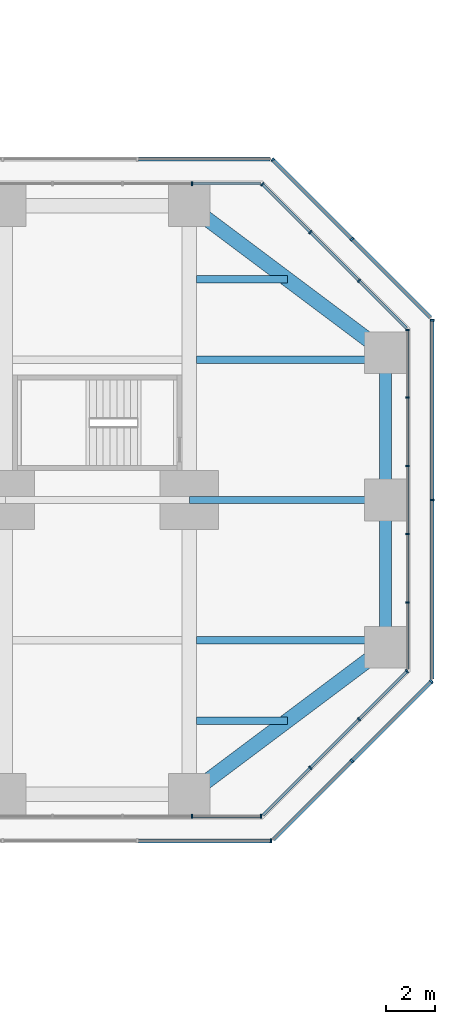
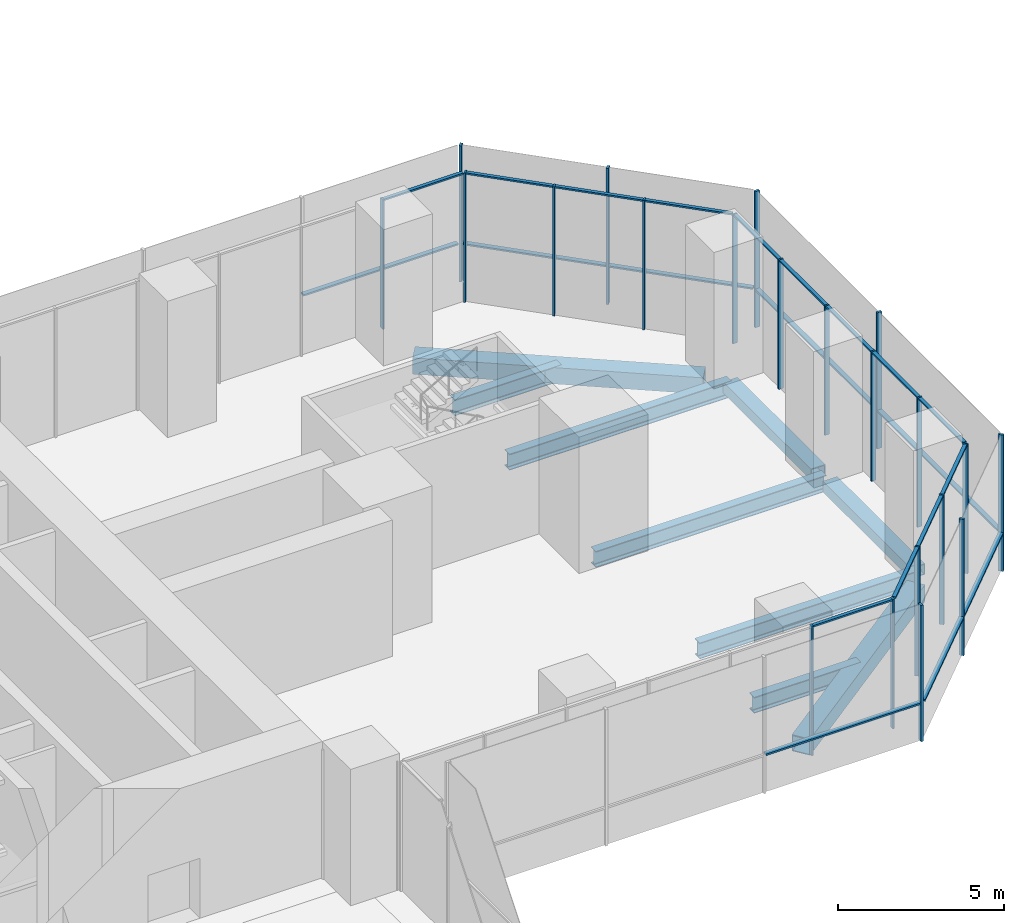
# One storey, part 11 of 23: 42 members, 9 beams, 10 elements without a shape of their own.
"""IFC4 building model written with IfcOpenShell, lengths in metres."""

from ifc_helpers import new_model, si_unit, direction, frame, origin, origin_2d, place, context, subcontext, project, spatial, rectangle, hollow_rectangle, i_section, extrude, material, material_profile, profile_set, type_object, element, aggregate, save


model = new_model("IFC4")

# Units and contexts
model_context = context("Model", 3, precision=1e-05, world=origin(), true_north=direction((0.0, 1.0)))
body_context = subcontext(model_context, "Body", "Model", "MODEL_VIEW")
ifc_project = project(units=[si_unit("LENGTHUNIT", "METRE"), si_unit("AREAUNIT", "SQUARE_METRE"), si_unit("VOLUMEUNIT", "CUBIC_METRE"), si_unit("PLANEANGLEUNIT", "RADIAN"), si_unit("MASSUNIT", "GRAM", prefix="KILO")], contexts=[model_context])

# Site, building, storey
site_placement = place(None, origin())
site = spatial("IfcSite", under=ifc_project, at=site_placement, CompositionType="ELEMENT")
building_placement = place(site_placement, origin())
building = spatial("IfcBuilding", under=site, at=building_placement, Name="Mizan Broadcast Tower", CompositionType="ELEMENT")
storey_placement = place(building_placement, frame((0.0, 0.0, 23.0)))
storey = spatial("IfcBuildingStorey", under=building, at=storey_placement, Name="L03", CompositionType="ELEMENT", Elevation=23.0)

# Beams
ifc_material_1 = material(Name="Steel S355", Category="steel")
ifc_material_profile_1 = material_profile(ifc_material_1, hollow_rectangle(XDim=0.5, YDim=0.39990234375, WallThickness=0.02490234375, at=origin_2d()), Name="BOX 400x500x25")
ifc_profile_set_1 = profile_set([ifc_material_profile_1], Name="Steel S355")
beam_type_1 = type_object("IfcBeamType", Name="EDGE BEAM BOX 400x500x25", PredefinedType="SPANDREL", material=ifc_profile_set_1)
for number, where, z_axis, x_axis, name in (
    (1, (35.0, -5.639892578125, -0.449951171875), (0.0, 1.0, 0.0), (-1.0, 0.0, 0.0), "Edge beam BOX 400x500x25 L03 east arm"),
    (2, (35.0, 5.639892578125, -0.449951171875), (0.0, -1.0, 0.0), (1.0, 0.0, 0.0), "Edge beam BOX 400x500x25 L03 east arm"),
):
    element("IfcBeam", number, at=place(storey_placement, frame(where, z_axis=z_axis, x_axis=x_axis)), inside=storey, type_object=beam_type_1, Name=name, PredefinedType="SPANDREL", context=body_context, shape_type="SweptSolid", body=[
        extrude(hollow_rectangle(XDim=0.5, YDim=0.39990234375, WallThickness=0.02490234375, at=origin_2d()), origin(), (0.0, 0.0, 1.0), 5.27978515625),
    ])
ifc_material_2 = material(Name="Steel S355", Category="steel")
ifc_material_profile_2 = material_profile(ifc_material_2, hollow_rectangle(XDim=0.60009765625, YDim=0.60009765625, WallThickness=0.030029296875, at=origin_2d()), Name="BOX 600x600x30")
ifc_profile_set_2 = profile_set([ifc_material_profile_2], Name="Steel S355")
beam_type_2 = type_object("IfcBeamType", Name="EDGE BEAM BOX 600x600x30", PredefinedType="SPANDREL", material=ifc_profile_set_2)
for number, where, z_axis, x_axis, name in (
    (3, (27.47998046875, -11.639892578125, -0.550048828125), (0.800013316712, 0.599982243973, 0.0), (-0.599982243973, 0.800013316712, 0.0), "Edge beam BOX 600x600x30 L03 east arm"),
    (4, (27.47998046875, 11.639892578125, -0.550048828125), (0.800013316712, -0.599982243973, 0.0), (0.599982243973, 0.800013316712, 0.0), "Edge beam BOX 600x600x30 L03 east arm"),
):
    element("IfcBeam", number, at=place(storey_placement, frame(where, z_axis=z_axis, x_axis=x_axis)), inside=storey, type_object=beam_type_2, Name=name, PredefinedType="SPANDREL", context=body_context, shape_type="SweptSolid", body=[
        extrude(hollow_rectangle(XDim=0.60009765625, YDim=0.60009765625, WallThickness=0.030029296875, at=origin_2d()), origin(), (0.0, 0.0, 1.0), 8.7998046875),
    ])

# Curtain wall, members
ifc_material_3 = material(Name="Aluminium framed glazing", Category="aluminium")
curtain_wall_type_1 = type_object("IfcCurtainWallType", Name="PODIUM CURTAIN WALL", PredefinedType="USERDEFINED", material=ifc_material_3)
curtain_wall_1_placement = place(storey_placement, origin())
curtain_wall_1 = element("IfcCurtainWall", 5, at=curtain_wall_1_placement, inside=storey, type_object=curtain_wall_type_1, Name="Podium curtain wall L03 E side", ObjectType="PODIUM CURTAIN WALL", PredefinedType="USERDEFINED")
ifc_material_4 = material(Name="Aluminium, pale anodised", Category="aluminium")
ifc_material_profile_3 = material_profile(ifc_material_4, rectangle(XDim=0.159912109375, YDim=0.06005859375, at=origin_2d()), Name="MULLION 160x60")
ifc_profile_set_3 = profile_set([ifc_material_profile_3], Name="Aluminium, pale anodised")
member_type_1 = type_object("IfcMemberType", Name="INNER SKIN MULLION 60x160", PredefinedType="MULLION", material=ifc_profile_set_3)
member_1_placement = place(storey_placement, frame((27.115478515625, -12.89990234375, 0.0), z_axis=(0.0, 0.0, 1.0), x_axis=(0.0, 1.0, 0.0)))
member_1 = element("IfcMember", 6, at=member_1_placement, type_object=member_type_1, Name="Podium curtain wall L03 E side mullion 6", PredefinedType="MULLION", context=body_context, shape_type="SweptSolid", body=[
    extrude(rectangle(XDim=0.159912109375, YDim=0.06005859375, at=origin_2d()), origin(), (0.0, 0.0, 1.0), 4.75),
])
member_2_placement = place(storey_placement, frame((29.928466796875, -12.89990234375, 0.0), z_axis=(0.0, 0.0, 1.0), x_axis=(0.0, 1.0, 0.0)))
member_2 = element("IfcMember", 7, at=member_2_placement, type_object=member_type_1, Name="Podium curtain wall L03 E side mullion 7", PredefinedType="MULLION", context=body_context, shape_type="SweptSolid", body=[
    extrude(rectangle(XDim=0.159912109375, YDim=0.06005859375, at=origin_2d()), origin(), (0.0, 0.0, 1.0), 4.75),
])

curtain_wall_2_placement = place(storey_placement, origin())
curtain_wall_2 = element("IfcCurtainWall", 8, at=curtain_wall_2_placement, inside=storey, type_object=curtain_wall_type_1, Name="Podium curtain wall L03 E chamfer", ObjectType="PODIUM CURTAIN WALL", PredefinedType="USERDEFINED")
member_3_placement = place(storey_placement, frame((31.93896484375, -10.91943359375, 0.0), z_axis=(0.0, 0.0, 1.0), x_axis=(-0.707106781187, 0.707106781187, 0.0)))
member_3 = element("IfcMember", 9, at=member_3_placement, type_object=member_type_1, Name="Podium curtain wall L03 E chamfer mullion 2", PredefinedType="MULLION", context=body_context, shape_type="SweptSolid", body=[
    extrude(rectangle(XDim=0.159912109375, YDim=0.06005859375, at=origin_2d()), origin(), (0.0, 0.0, 1.0), 4.75),
])
member_4_placement = place(storey_placement, frame((33.91943359375, -8.93896484375, 0.0), z_axis=(0.0, 0.0, 1.0), x_axis=(-0.707106781187, 0.707106781187, 0.0)))
member_4 = element("IfcMember", 10, at=member_4_placement, type_object=member_type_1, Name="Podium curtain wall L03 E chamfer mullion 3", PredefinedType="MULLION", context=body_context, shape_type="SweptSolid", body=[
    extrude(rectangle(XDim=0.159912109375, YDim=0.06005859375, at=origin_2d()), origin(), (0.0, 0.0, 1.0), 4.75),
])
member_5_placement = place(storey_placement, frame((35.87890625, -6.979736328125, 0.0), z_axis=(0.0, 0.0, 1.0), x_axis=(-0.707106781187, 0.707106781187, 0.0)))
member_5 = element("IfcMember", 11, at=member_5_placement, type_object=member_type_1, Name="Podium curtain wall L03 E chamfer mullion 4", PredefinedType="MULLION", context=body_context, shape_type="SweptSolid", body=[
    extrude(rectangle(XDim=0.159912109375, YDim=0.06005859375, at=origin_2d()), origin(), (0.0, 0.0, 1.0), 4.75),
])

curtain_wall_3_placement = place(storey_placement, origin())
curtain_wall_3 = element("IfcCurtainWall", 12, at=curtain_wall_3_placement, inside=storey, type_object=curtain_wall_type_1, Name="Podium curtain wall L03 E end", ObjectType="PODIUM CURTAIN WALL", PredefinedType="USERDEFINED")
member_6_placement = place(storey_placement, frame((35.89990234375, -4.175048828125, 0.0), z_axis=(0.0, 0.0, 1.0), x_axis=(-1.0, 0.0, 0.0)))
member_6 = element("IfcMember", 13, at=member_6_placement, type_object=member_type_1, Name="Podium curtain wall L03 E end mullion 2", PredefinedType="MULLION", context=body_context, shape_type="SweptSolid", body=[
    extrude(rectangle(XDim=0.159912109375, YDim=0.06005859375, at=origin_2d()), origin(), (0.0, 0.0, 1.0), 4.75),
])
member_7_placement = place(storey_placement, frame((35.89990234375, -1.3916015625, 0.0), z_axis=(0.0, 0.0, 1.0), x_axis=(-1.0, 0.0, 0.0)))
member_7 = element("IfcMember", 14, at=member_7_placement, type_object=member_type_1, Name="Podium curtain wall L03 E end mullion 3", PredefinedType="MULLION", context=body_context, shape_type="SweptSolid", body=[
    extrude(rectangle(XDim=0.159912109375, YDim=0.06005859375, at=origin_2d()), origin(), (0.0, 0.0, 1.0), 4.75),
])
member_8_placement = place(storey_placement, frame((35.89990234375, 1.3916015625, 0.0), z_axis=(0.0, 0.0, 1.0), x_axis=(-1.0, 0.0, 0.0)))
member_8 = element("IfcMember", 15, at=member_8_placement, type_object=member_type_1, Name="Podium curtain wall L03 E end mullion 4", PredefinedType="MULLION", context=body_context, shape_type="SweptSolid", body=[
    extrude(rectangle(XDim=0.159912109375, YDim=0.06005859375, at=origin_2d()), origin(), (0.0, 0.0, 1.0), 4.75),
])
member_9_placement = place(storey_placement, frame((35.89990234375, 4.175048828125, 0.0), z_axis=(0.0, 0.0, 1.0), x_axis=(-1.0, 0.0, 0.0)))
member_9 = element("IfcMember", 16, at=member_9_placement, type_object=member_type_1, Name="Podium curtain wall L03 E end mullion 5", PredefinedType="MULLION", context=body_context, shape_type="SweptSolid", body=[
    extrude(rectangle(XDim=0.159912109375, YDim=0.06005859375, at=origin_2d()), origin(), (0.0, 0.0, 1.0), 4.75),
])
member_10_placement = place(storey_placement, frame((35.89990234375, 6.928466796875, 0.0), z_axis=(0.0, 0.0, 1.0), x_axis=(-1.0, 0.0, 0.0)))
member_10 = element("IfcMember", 17, at=member_10_placement, type_object=member_type_1, Name="Podium curtain wall L03 E end mullion 6", PredefinedType="MULLION", context=body_context, shape_type="SweptSolid", body=[
    extrude(rectangle(XDim=0.159912109375, YDim=0.06005859375, at=origin_2d()), origin(), (0.0, 0.0, 1.0), 4.75),
])

curtain_wall_4_placement = place(storey_placement, origin())
curtain_wall_4 = element("IfcCurtainWall", 18, at=curtain_wall_4_placement, inside=storey, type_object=curtain_wall_type_1, Name="Podium curtain wall L03 E chamfer", ObjectType="PODIUM CURTAIN WALL", PredefinedType="USERDEFINED")
member_11_placement = place(storey_placement, frame((33.91943359375, 8.93896484375, 0.0), z_axis=(0.0, 0.0, 1.0), x_axis=(-0.707106781187, -0.707106781187, 0.0)))
member_11 = element("IfcMember", 19, at=member_11_placement, type_object=member_type_1, Name="Podium curtain wall L03 E chamfer mullion 2", PredefinedType="MULLION", context=body_context, shape_type="SweptSolid", body=[
    extrude(rectangle(XDim=0.159912109375, YDim=0.06005859375, at=origin_2d()), origin(), (0.0, 0.0, 1.0), 4.75),
])
member_12_placement = place(storey_placement, frame((31.93896484375, 10.91943359375, 0.0), z_axis=(0.0, 0.0, 1.0), x_axis=(-0.707106781187, -0.707106781187, 0.0)))
member_12 = element("IfcMember", 20, at=member_12_placement, type_object=member_type_1, Name="Podium curtain wall L03 E chamfer mullion 3", PredefinedType="MULLION", context=body_context, shape_type="SweptSolid", body=[
    extrude(rectangle(XDim=0.159912109375, YDim=0.06005859375, at=origin_2d()), origin(), (0.0, 0.0, 1.0), 4.75),
])
member_13_placement = place(storey_placement, frame((29.979736328125, 12.87890625, 0.0), z_axis=(0.0, 0.0, 1.0), x_axis=(-0.707106781187, -0.707106781187, 0.0)))
member_13 = element("IfcMember", 21, at=member_13_placement, type_object=member_type_1, Name="Podium curtain wall L03 E chamfer mullion 4", PredefinedType="MULLION", context=body_context, shape_type="SweptSolid", body=[
    extrude(rectangle(XDim=0.159912109375, YDim=0.06005859375, at=origin_2d()), origin(), (0.0, 0.0, 1.0), 4.75),
])

# Curtain wall, member
curtain_wall_5_placement = place(storey_placement, origin())
curtain_wall_5 = element("IfcCurtainWall", 22, at=curtain_wall_5_placement, inside=storey, type_object=curtain_wall_type_1, Name="Podium curtain wall L03 E side", ObjectType="PODIUM CURTAIN WALL", PredefinedType="USERDEFINED")
member_14_placement = place(storey_placement, frame((27.115478515625, 12.89990234375, 0.0), z_axis=(0.0, 0.0, 1.0), x_axis=(0.0, -1.0, 0.0)))
member_14 = element("IfcMember", 23, at=member_14_placement, type_object=member_type_1, Name="Podium curtain wall L03 E side mullion 2", PredefinedType="MULLION", context=body_context, shape_type="SweptSolid", body=[
    extrude(rectangle(XDim=0.159912109375, YDim=0.06005859375, at=origin_2d()), origin(), (0.0, 0.0, 1.0), 4.75),
])

# Member
ifc_material_5 = material(Name="Aluminium, pale anodised", Category="aluminium")
ifc_material_profile_4 = material_profile(ifc_material_5, rectangle(XDim=0.1201171875, YDim=0.06005859375, at=origin_2d()), Name="TRANSOM 120x60")
ifc_profile_set_4 = profile_set([ifc_material_profile_4], Name="Aluminium, pale anodised")
member_type_2 = type_object("IfcMemberType", Name="INNER SKIN TRANSOM 60x120", PredefinedType="USERDEFINED", material=ifc_profile_set_4)
member_15_placement = place(storey_placement, frame((27.1455078125, -12.89990234375, 4.719970703125), z_axis=(1.0, 0.0, 0.0), x_axis=(0.0, 1.0, 0.0)))
member_15 = element("IfcMember", 24, at=member_15_placement, type_object=member_type_2, Name="Podium curtain wall L03 E side transom 6.1", ObjectType="TRANSOM", PredefinedType="USERDEFINED", context=body_context, shape_type="SweptSolid", body=[
    extrude(rectangle(XDim=0.1201171875, YDim=0.06005859375, at=origin_2d()), origin(), (0.0, 0.0, 1.0), 2.753173828125),
])

aggregate(curtain_wall_1, [member_1, member_2, member_15])

member_16_placement = place(storey_placement, frame((30.0009765625, -12.857666015625, 4.719970703125), z_axis=(0.707061749709, 0.707151809797, 0.0), x_axis=(-0.707151809797, 0.707061749709, 0.0)))
member_16 = element("IfcMember", 25, at=member_16_placement, type_object=member_type_2, Name="Podium curtain wall L03 E chamfer transom 1.1", ObjectType="TRANSOM", PredefinedType="USERDEFINED", context=body_context, shape_type="SweptSolid", body=[
    extrude(rectangle(XDim=0.1201171875, YDim=0.06005859375, at=origin_2d()), origin(), (0.0, 0.0, 1.0), 2.7109375),
])

member_17_placement = place(storey_placement, frame((31.960205078125, -10.898193359375, 4.719970703125), z_axis=(0.707106781187, 0.707106781187, 0.0), x_axis=(-0.707106781187, 0.707106781187, 0.0)))
member_17 = element("IfcMember", 26, at=member_17_placement, type_object=member_type_2, Name="Podium curtain wall L03 E chamfer transom 2.1", ObjectType="TRANSOM", PredefinedType="USERDEFINED", context=body_context, shape_type="SweptSolid", body=[
    extrude(rectangle(XDim=0.1201171875, YDim=0.06005859375, at=origin_2d()), origin(), (0.0, 0.0, 1.0), 2.74072265625),
])

member_18_placement = place(storey_placement, frame((33.940673828125, -8.917724609375, 4.719970703125), z_axis=(0.707151809797, 0.707061749709, 0.0), x_axis=(-0.707061749709, 0.707151809797, 0.0)))
member_18 = element("IfcMember", 27, at=member_18_placement, type_object=member_type_2, Name="Podium curtain wall L03 E chamfer transom 3.1", ObjectType="TRANSOM", PredefinedType="USERDEFINED", context=body_context, shape_type="SweptSolid", body=[
    extrude(rectangle(XDim=0.1201171875, YDim=0.06005859375, at=origin_2d()), origin(), (0.0, 0.0, 1.0), 2.7109375),
])

aggregate(curtain_wall_2, [member_3, member_4, member_5, member_16, member_17, member_18])

member_19_placement = place(storey_placement, frame((35.89990234375, -6.898681640625, 4.719970703125), z_axis=(0.0, 1.0, 0.0), x_axis=(-1.0, 0.0, 0.0)))
member_19 = element("IfcMember", 28, at=member_19_placement, type_object=member_type_2, Name="Podium curtain wall L03 E end transom 1.1", ObjectType="TRANSOM", PredefinedType="USERDEFINED", context=body_context, shape_type="SweptSolid", body=[
    extrude(rectangle(XDim=0.1201171875, YDim=0.06005859375, at=origin_2d()), origin(), (0.0, 0.0, 1.0), 2.693603515625),
])

member_20_placement = place(storey_placement, frame((35.89990234375, -4.145263671875, 4.719970703125), z_axis=(0.0, 1.0, 0.0), x_axis=(-1.0, 0.0, 0.0)))
member_20 = element("IfcMember", 29, at=member_20_placement, type_object=member_type_2, Name="Podium curtain wall L03 E end transom 2.1", ObjectType="TRANSOM", PredefinedType="USERDEFINED", context=body_context, shape_type="SweptSolid", body=[
    extrude(rectangle(XDim=0.1201171875, YDim=0.06005859375, at=origin_2d()), origin(), (0.0, 0.0, 1.0), 2.7236328125),
])

member_21_placement = place(storey_placement, frame((35.89990234375, -1.36181640625, 4.719970703125), z_axis=(0.0, 1.0, 0.0), x_axis=(-1.0, 0.0, 0.0)))
member_21 = element("IfcMember", 30, at=member_21_placement, type_object=member_type_2, Name="Podium curtain wall L03 E end transom 3.1", ObjectType="TRANSOM", PredefinedType="USERDEFINED", context=body_context, shape_type="SweptSolid", body=[
    extrude(rectangle(XDim=0.1201171875, YDim=0.06005859375, at=origin_2d()), origin(), (0.0, 0.0, 1.0), 2.7236328125),
])

member_22_placement = place(storey_placement, frame((35.89990234375, 1.421630859375, 4.719970703125), z_axis=(0.0, 1.0, 0.0), x_axis=(-1.0, 0.0, 0.0)))
member_22 = element("IfcMember", 31, at=member_22_placement, type_object=member_type_2, Name="Podium curtain wall L03 E end transom 4.1", ObjectType="TRANSOM", PredefinedType="USERDEFINED", context=body_context, shape_type="SweptSolid", body=[
    extrude(rectangle(XDim=0.1201171875, YDim=0.06005859375, at=origin_2d()), origin(), (0.0, 0.0, 1.0), 2.7236328125),
])

member_23_placement = place(storey_placement, frame((35.89990234375, 4.205078125, 4.719970703125), z_axis=(0.0, 1.0, 0.0), x_axis=(-1.0, 0.0, 0.0)))
member_23 = element("IfcMember", 32, at=member_23_placement, type_object=member_type_2, Name="Podium curtain wall L03 E end transom 5.1", ObjectType="TRANSOM", PredefinedType="USERDEFINED", context=body_context, shape_type="SweptSolid", body=[
    extrude(rectangle(XDim=0.1201171875, YDim=0.06005859375, at=origin_2d()), origin(), (0.0, 0.0, 1.0), 2.693603515625),
])

aggregate(curtain_wall_3, [member_6, member_7, member_8, member_9, member_10, member_19, member_20, member_21, member_22, member_23])

member_24_placement = place(storey_placement, frame((35.857666015625, 7.0009765625, 4.719970703125), z_axis=(-0.707151809797, 0.707061749709, 0.0), x_axis=(-0.707061749709, -0.707151809797, 0.0)))
member_24 = element("IfcMember", 33, at=member_24_placement, type_object=member_type_2, Name="Podium curtain wall L03 E chamfer transom 1.1", ObjectType="TRANSOM", PredefinedType="USERDEFINED", context=body_context, shape_type="SweptSolid", body=[
    extrude(rectangle(XDim=0.1201171875, YDim=0.06005859375, at=origin_2d()), origin(), (0.0, 0.0, 1.0), 2.7109375),
])

member_25_placement = place(storey_placement, frame((33.898193359375, 8.960205078125, 4.719970703125), z_axis=(-0.707106781187, 0.707106781187, 0.0), x_axis=(-0.707106781187, -0.707106781187, 0.0)))
member_25 = element("IfcMember", 34, at=member_25_placement, type_object=member_type_2, Name="Podium curtain wall L03 E chamfer transom 2.1", ObjectType="TRANSOM", PredefinedType="USERDEFINED", context=body_context, shape_type="SweptSolid", body=[
    extrude(rectangle(XDim=0.1201171875, YDim=0.06005859375, at=origin_2d()), origin(), (0.0, 0.0, 1.0), 2.74072265625),
])

member_26_placement = place(storey_placement, frame((31.917724609375, 10.940673828125, 4.719970703125), z_axis=(-0.707061749709, 0.707151809797, 0.0), x_axis=(-0.707151809797, -0.707061749709, 0.0)))
member_26 = element("IfcMember", 35, at=member_26_placement, type_object=member_type_2, Name="Podium curtain wall L03 E chamfer transom 3.1", ObjectType="TRANSOM", PredefinedType="USERDEFINED", context=body_context, shape_type="SweptSolid", body=[
    extrude(rectangle(XDim=0.1201171875, YDim=0.06005859375, at=origin_2d()), origin(), (0.0, 0.0, 1.0), 2.7109375),
])

aggregate(curtain_wall_4, [member_11, member_12, member_13, member_24, member_25, member_26])

member_27_placement = place(storey_placement, frame((29.898681640625, 12.89990234375, 4.719970703125), z_axis=(-1.0, 0.0, 0.0), x_axis=(0.0, -1.0, 0.0)))
member_27 = element("IfcMember", 36, at=member_27_placement, type_object=member_type_2, Name="Podium curtain wall L03 E side transom 1.1", ObjectType="TRANSOM", PredefinedType="USERDEFINED", context=body_context, shape_type="SweptSolid", body=[
    extrude(rectangle(XDim=0.1201171875, YDim=0.06005859375, at=origin_2d()), origin(), (0.0, 0.0, 1.0), 2.753173828125),
])

aggregate(curtain_wall_5, [member_14, member_27])

# Curtain wall, member
ifc_material_6 = material(Name="Aluminium framed glazing", Category="aluminium")
curtain_wall_type_2 = type_object("IfcCurtainWallType", Name="OUTER SKIN", PredefinedType="USERDEFINED", material=ifc_material_6)
curtain_wall_6_placement = place(storey_placement, origin())
curtain_wall_6 = element("IfcCurtainWall", 37, at=curtain_wall_6_placement, inside=storey, type_object=curtain_wall_type_2, Name="Outer skin L03 E side", ObjectType="OUTER SKIN", PredefinedType="USERDEFINED")
ifc_material_7 = material(Name="Aluminium, pale anodised", Category="aluminium")
ifc_material_profile_5 = material_profile(ifc_material_7, rectangle(XDim=0.159912109375, YDim=0.080078125, at=origin_2d()), Name="MULLION 160x80")
ifc_profile_set_5 = profile_set([ifc_material_profile_5], Name="Aluminium, pale anodised")
member_type_3 = type_object("IfcMemberType", Name="OUTER SKIN MULLION 80x160", PredefinedType="MULLION", material=ifc_profile_set_5)
member_28_placement = place(storey_placement, frame((30.332763671875, -13.89990234375, 0.0), z_axis=(0.0, 0.0, 1.0), x_axis=(0.0, 1.0, 0.0)))
member_28 = element("IfcMember", 38, at=member_28_placement, type_object=member_type_3, Name="Outer skin L03 E side mullion 4", PredefinedType="MULLION", context=body_context, shape_type="SweptSolid", body=[
    extrude(rectangle(XDim=0.159912109375, YDim=0.080078125, at=origin_2d()), origin(), (0.0, 0.0, 1.0), 5.0),
])

# Curtain wall, members
curtain_wall_7_placement = place(storey_placement, origin())
curtain_wall_7 = element("IfcCurtainWall", 39, at=curtain_wall_7_placement, inside=storey, type_object=curtain_wall_type_2, Name="Outer skin L03 E chamfer", ObjectType="OUTER SKIN", PredefinedType="USERDEFINED")
member_29_placement = place(storey_placement, frame((33.636474609375, -10.636474609375, 0.0), z_axis=(0.0, 0.0, 1.0), x_axis=(-0.707106781187, 0.707106781187, 0.0)))
member_29 = element("IfcMember", 40, at=member_29_placement, type_object=member_type_3, Name="Outer skin L03 E chamfer mullion 2", PredefinedType="MULLION", context=body_context, shape_type="SweptSolid", body=[
    extrude(rectangle(XDim=0.159912109375, YDim=0.080078125, at=origin_2d()), origin(), (0.0, 0.0, 1.0), 5.0),
])
member_30_placement = place(storey_placement, frame((36.871826171875, -7.401123046875, 0.0), z_axis=(0.0, 0.0, 1.0), x_axis=(-0.707106781187, 0.707106781187, 0.0)))
member_30 = element("IfcMember", 41, at=member_30_placement, type_object=member_type_3, Name="Outer skin L03 E chamfer mullion 3", PredefinedType="MULLION", context=body_context, shape_type="SweptSolid", body=[
    extrude(rectangle(XDim=0.159912109375, YDim=0.080078125, at=origin_2d()), origin(), (0.0, 0.0, 1.0), 5.0),
])

curtain_wall_8_placement = place(storey_placement, origin())
curtain_wall_8 = element("IfcCurtainWall", 42, at=curtain_wall_8_placement, inside=storey, type_object=curtain_wall_type_2, Name="Outer skin L03 E end", ObjectType="OUTER SKIN", PredefinedType="USERDEFINED")
member_31_placement = place(storey_placement, frame((36.89990234375, 0.0, 0.0), z_axis=(0.0, 0.0, 1.0), x_axis=(-1.0, 0.0, 0.0)))
member_31 = element("IfcMember", 43, at=member_31_placement, type_object=member_type_3, Name="Outer skin L03 E end mullion 2", PredefinedType="MULLION", context=body_context, shape_type="SweptSolid", body=[
    extrude(rectangle(XDim=0.159912109375, YDim=0.080078125, at=origin_2d()), origin(), (0.0, 0.0, 1.0), 5.0),
])
member_32_placement = place(storey_placement, frame((36.89990234375, 7.332763671875, 0.0), z_axis=(0.0, 0.0, 1.0), x_axis=(-1.0, 0.0, 0.0)))
member_32 = element("IfcMember", 44, at=member_32_placement, type_object=member_type_3, Name="Outer skin L03 E end mullion 3", PredefinedType="MULLION", context=body_context, shape_type="SweptSolid", body=[
    extrude(rectangle(XDim=0.159912109375, YDim=0.080078125, at=origin_2d()), origin(), (0.0, 0.0, 1.0), 5.0),
])

curtain_wall_9_placement = place(storey_placement, origin())
curtain_wall_9 = element("IfcCurtainWall", 45, at=curtain_wall_9_placement, inside=storey, type_object=curtain_wall_type_2, Name="Outer skin L03 E chamfer", ObjectType="OUTER SKIN", PredefinedType="USERDEFINED")
member_33_placement = place(storey_placement, frame((33.636474609375, 10.636474609375, 0.0), z_axis=(0.0, 0.0, 1.0), x_axis=(-0.707106781187, -0.707106781187, 0.0)))
member_33 = element("IfcMember", 46, at=member_33_placement, type_object=member_type_3, Name="Outer skin L03 E chamfer mullion 2", PredefinedType="MULLION", context=body_context, shape_type="SweptSolid", body=[
    extrude(rectangle(XDim=0.159912109375, YDim=0.080078125, at=origin_2d()), origin(), (0.0, 0.0, 1.0), 5.0),
])
member_34_placement = place(storey_placement, frame((30.401123046875, 13.871826171875, 0.0), z_axis=(0.0, 0.0, 1.0), x_axis=(-0.707106781187, -0.707106781187, 0.0)))
member_34 = element("IfcMember", 47, at=member_34_placement, type_object=member_type_3, Name="Outer skin L03 E chamfer mullion 3", PredefinedType="MULLION", context=body_context, shape_type="SweptSolid", body=[
    extrude(rectangle(XDim=0.159912109375, YDim=0.080078125, at=origin_2d()), origin(), (0.0, 0.0, 1.0), 5.0),
])

# Member
ifc_material_8 = material(Name="Aluminium, pale anodised", Category="aluminium")
ifc_material_profile_6 = material_profile(ifc_material_8, rectangle(XDim=0.159912109375, YDim=0.06005859375, at=origin_2d()), Name="TRANSOM 160x60")
ifc_profile_set_6 = profile_set([ifc_material_profile_6], Name="Aluminium, pale anodised")
member_type_4 = type_object("IfcMemberType", Name="OUTER SKIN TRANSOM 60x160", PredefinedType="USERDEFINED", material=ifc_profile_set_6)
member_35_placement = place(storey_placement, frame((24.921875, -13.89990234375, 1.39990234375), z_axis=(1.0, 0.0, 0.0), x_axis=(0.0, 1.0, 0.0)))
member_35 = element("IfcMember", 48, at=member_35_placement, type_object=member_type_4, Name="Outer skin L03 E side transom 3.1", ObjectType="TRANSOM", PredefinedType="USERDEFINED", context=body_context, shape_type="SweptSolid", body=[
    extrude(rectangle(XDim=0.159912109375, YDim=0.06005859375, at=origin_2d()), origin(), (0.0, 0.0, 1.0), 5.370849609375),
])

aggregate(curtain_wall_6, [member_28, member_35])

member_36_placement = place(storey_placement, frame((30.429443359375, -13.843505859375, 1.39990234375), z_axis=(0.707106781187, 0.707106781187, 0.0), x_axis=(-0.707106781187, 0.707106781187, 0.0)))
member_36 = element("IfcMember", 49, at=member_36_placement, type_object=member_type_4, Name="Outer skin L03 E chamfer transom 1.1", ObjectType="TRANSOM", PredefinedType="USERDEFINED", context=body_context, shape_type="SweptSolid", body=[
    extrude(rectangle(XDim=0.159912109375, YDim=0.06005859375, at=origin_2d()), origin(), (0.0, 0.0, 1.0), 4.495361328125),
])

member_37_placement = place(storey_placement, frame((33.664794921875, -10.608154296875, 1.39990234375), z_axis=(0.707106781187, 0.707106781187, 0.0), x_axis=(-0.707106781187, 0.707106781187, 0.0)))
member_37 = element("IfcMember", 50, at=member_37_placement, type_object=member_type_4, Name="Outer skin L03 E chamfer transom 2.1", ObjectType="TRANSOM", PredefinedType="USERDEFINED", context=body_context, shape_type="SweptSolid", body=[
    extrude(rectangle(XDim=0.159912109375, YDim=0.06005859375, at=origin_2d()), origin(), (0.0, 0.0, 1.0), 4.495361328125),
])

aggregate(curtain_wall_7, [member_29, member_30, member_36, member_37])

member_38_placement = place(storey_placement, frame((36.89990234375, -7.292724609375, 1.39990234375), z_axis=(0.0, 1.0, 0.0), x_axis=(-1.0, 0.0, 0.0)))
member_38 = element("IfcMember", 51, at=member_38_placement, type_object=member_type_4, Name="Outer skin L03 E end transom 1.1", ObjectType="TRANSOM", PredefinedType="USERDEFINED", context=body_context, shape_type="SweptSolid", body=[
    extrude(rectangle(XDim=0.159912109375, YDim=0.06005859375, at=origin_2d()), origin(), (0.0, 0.0, 1.0), 7.252685546875),
])

member_39_placement = place(storey_placement, frame((36.89990234375, 0.0400390625, 1.39990234375), z_axis=(0.0, 1.0, 0.0), x_axis=(-1.0, 0.0, 0.0)))
member_39 = element("IfcMember", 52, at=member_39_placement, type_object=member_type_4, Name="Outer skin L03 E end transom 2.1", ObjectType="TRANSOM", PredefinedType="USERDEFINED", context=body_context, shape_type="SweptSolid", body=[
    extrude(rectangle(XDim=0.159912109375, YDim=0.06005859375, at=origin_2d()), origin(), (0.0, 0.0, 1.0), 7.252685546875),
])

aggregate(curtain_wall_8, [member_31, member_32, member_38, member_39])

member_40_placement = place(storey_placement, frame((36.843505859375, 7.429443359375, 1.39990234375), z_axis=(-0.707106781187, 0.707106781187, 0.0), x_axis=(-0.707106781187, -0.707106781187, 0.0)))
member_40 = element("IfcMember", 53, at=member_40_placement, type_object=member_type_4, Name="Outer skin L03 E chamfer transom 1.1", ObjectType="TRANSOM", PredefinedType="USERDEFINED", context=body_context, shape_type="SweptSolid", body=[
    extrude(rectangle(XDim=0.159912109375, YDim=0.06005859375, at=origin_2d()), origin(), (0.0, 0.0, 1.0), 4.495361328125),
])

member_41_placement = place(storey_placement, frame((33.608154296875, 10.664794921875, 1.39990234375), z_axis=(-0.707106781187, 0.707106781187, 0.0), x_axis=(-0.707106781187, -0.707106781187, 0.0)))
member_41 = element("IfcMember", 54, at=member_41_placement, type_object=member_type_4, Name="Outer skin L03 E chamfer transom 2.1", ObjectType="TRANSOM", PredefinedType="USERDEFINED", context=body_context, shape_type="SweptSolid", body=[
    extrude(rectangle(XDim=0.159912109375, YDim=0.06005859375, at=origin_2d()), origin(), (0.0, 0.0, 1.0), 4.495361328125),
])

aggregate(curtain_wall_9, [member_33, member_34, member_40, member_41])

# Curtain wall, member
curtain_wall_10_placement = place(storey_placement, origin())
curtain_wall_10 = element("IfcCurtainWall", 55, at=curtain_wall_10_placement, inside=storey, type_object=curtain_wall_type_2, Name="Outer skin L03 E side", ObjectType="OUTER SKIN", PredefinedType="USERDEFINED")
member_42_placement = place(storey_placement, frame((30.292724609375, 13.89990234375, 1.39990234375), z_axis=(-1.0, 0.0, 0.0), x_axis=(0.0, -1.0, 0.0)))
member_42 = element("IfcMember", 56, at=member_42_placement, type_object=member_type_4, Name="Outer skin L03 E side transom 1.1", ObjectType="TRANSOM", PredefinedType="USERDEFINED", context=body_context, shape_type="SweptSolid", body=[
    extrude(rectangle(XDim=0.159912109375, YDim=0.06005859375, at=origin_2d()), origin(), (0.0, 0.0, 1.0), 5.370849609375),
])
aggregate(curtain_wall_10, [member_42])

# Beams
ifc_material_9 = material(Name="Steel S355", Category="steel")
ifc_material_profile_7 = material_profile(ifc_material_9, i_section(OverallWidth=0.300048828125, OverallDepth=0.590087890625, WebThickness=0.012939453125, FlangeThickness=0.02490234375, FilletRadius=0.027099609375, at=origin_2d()), Name="HEA 600")
ifc_profile_set_7 = profile_set([ifc_material_profile_7], Name="Steel S355")
beam_type_3 = type_object("IfcBeamType", Name="SECONDARY BEAM HEA 600", PredefinedType="JOIST", material=ifc_profile_set_7)
beam_1_placement = place(storey_placement, frame((27.300048828125, -5.71435546875, -0.544921875), z_axis=(1.0, 0.0, 0.0), x_axis=(0.0, 1.0, 0.0)))
element("IfcBeam", 57, at=beam_1_placement, inside=storey, type_object=beam_type_3, Name="Secondary beam HEA 600 L03 east arm", PredefinedType="JOIST", context=body_context, shape_type="SweptSolid", body=[
    extrude(i_section(OverallWidth=0.300048828125, OverallDepth=0.590087890625, WebThickness=0.012939453125, FlangeThickness=0.02490234375, FilletRadius=0.027099609375, at=origin_2d()), origin(), (0.0, 0.0, 1.0), 7.699951171875),
])
beam_2_placement = place(storey_placement, frame((27.300048828125, -9.0, -0.544921875), z_axis=(1.0, 0.0, 0.0), x_axis=(0.0, 1.0, 0.0)))
element("IfcBeam", 58, at=beam_2_placement, inside=storey, type_object=beam_type_3, Name="Secondary beam HEA 600 L03 east arm", PredefinedType="JOIST", context=body_context, shape_type="SweptSolid", body=[
    extrude(i_section(OverallWidth=0.300048828125, OverallDepth=0.590087890625, WebThickness=0.012939453125, FlangeThickness=0.02490234375, FilletRadius=0.027099609375, at=origin_2d()), origin(), (0.0, 0.0, 1.0), 3.699951171875),
])
beam_3_placement = place(storey_placement, frame((27.0, 0.0, -0.544921875), z_axis=(1.0, 0.0, 0.0), x_axis=(0.0, 1.0, 0.0)))
element("IfcBeam", 59, at=beam_3_placement, inside=storey, type_object=beam_type_3, Name="Secondary beam HEA 600 L03 east arm", PredefinedType="JOIST", context=body_context, shape_type="SweptSolid", body=[
    extrude(i_section(OverallWidth=0.300048828125, OverallDepth=0.590087890625, WebThickness=0.012939453125, FlangeThickness=0.02490234375, FilletRadius=0.027099609375, at=origin_2d()), origin(), (0.0, 0.0, 1.0), 8.0),
])
beam_4_placement = place(storey_placement, frame((27.300048828125, 5.71435546875, -0.544921875), z_axis=(1.0, 0.0, 0.0), x_axis=(0.0, 1.0, 0.0)))
element("IfcBeam", 60, at=beam_4_placement, inside=storey, type_object=beam_type_3, Name="Secondary beam HEA 600 L03 east arm", PredefinedType="JOIST", context=body_context, shape_type="SweptSolid", body=[
    extrude(i_section(OverallWidth=0.300048828125, OverallDepth=0.590087890625, WebThickness=0.012939453125, FlangeThickness=0.02490234375, FilletRadius=0.027099609375, at=origin_2d()), origin(), (0.0, 0.0, 1.0), 7.699951171875),
])
beam_5_placement = place(storey_placement, frame((27.300048828125, 9.0, -0.544921875), z_axis=(1.0, 0.0, 0.0), x_axis=(0.0, 1.0, 0.0)))
element("IfcBeam", 61, at=beam_5_placement, inside=storey, type_object=beam_type_3, Name="Secondary beam HEA 600 L03 east arm", PredefinedType="JOIST", context=body_context, shape_type="SweptSolid", body=[
    extrude(i_section(OverallWidth=0.300048828125, OverallDepth=0.590087890625, WebThickness=0.012939453125, FlangeThickness=0.02490234375, FilletRadius=0.027099609375, at=origin_2d()), origin(), (0.0, 0.0, 1.0), 3.699951171875),
])

save(model, "model.ifc")
